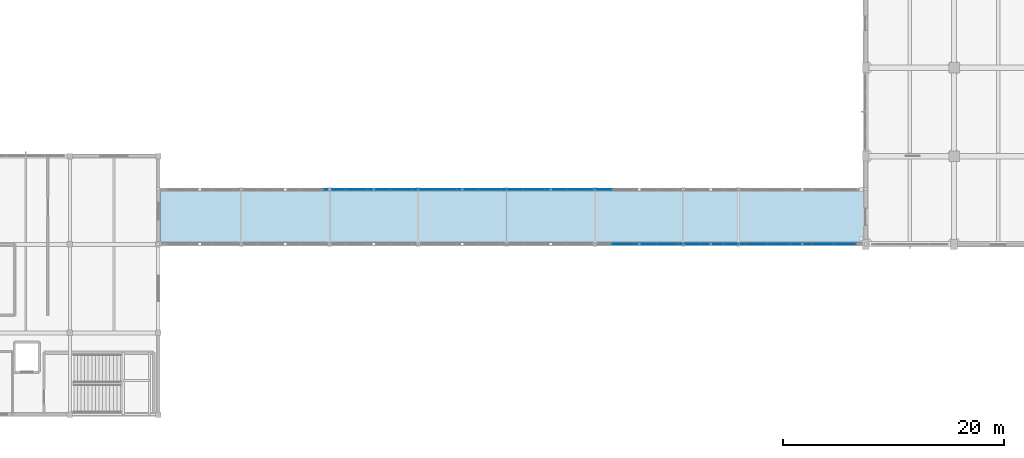
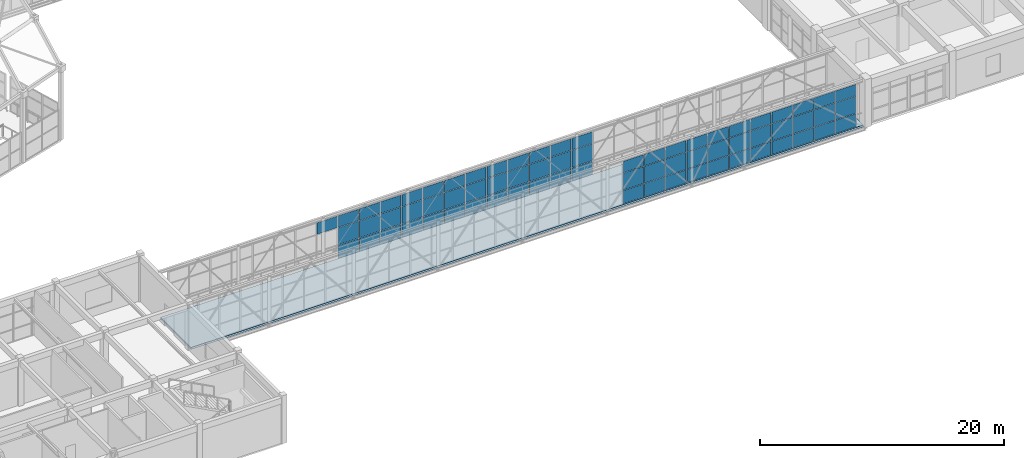
# One storey, part 205 of 248: 70 plates, 1 slab, 2 elements without a shape of their own.
"""IFC4 building model written with IfcOpenShell, lengths in metres."""

from ifc_helpers import new_model, si_unit, direction, frame, origin, origin_2d, place, context, subcontext, project, spatial, polyline, rectangle, outline, extrude, material, layer, layer_set, type_object, element, aggregate, save


model = new_model("IFC4")

# Units and contexts
model_context = context("Model", 3, precision=1e-05, world=origin(), true_north=direction((0.0, 1.0)))
body_context = subcontext(model_context, "Body", "Model", "MODEL_VIEW")
ifc_project = project(units=[si_unit("LENGTHUNIT", "METRE"), si_unit("AREAUNIT", "SQUARE_METRE"), si_unit("VOLUMEUNIT", "CUBIC_METRE"), si_unit("PLANEANGLEUNIT", "RADIAN"), si_unit("MASSUNIT", "GRAM", prefix="KILO")], contexts=[model_context])

# Site, building, storey
site_placement = place(None, origin())
site = spatial("IfcSite", under=ifc_project, at=site_placement, CompositionType="ELEMENT")
building_placement = place(site_placement, origin())
building = spatial("IfcBuilding", under=site, at=building_placement, Name="Canggui Botanical Conservatory", CompositionType="ELEMENT")
storey_placement = place(building_placement, frame((0.0, 0.0, 5.39990234375)))
storey = spatial("IfcBuildingStorey", under=building, at=storey_placement, Name="L02", CompositionType="ELEMENT", Elevation=5.39990234375)

# Curtain wall, plates
ifc_material_1 = material(Name="Thermally Broken Aluminium", Category="aluminium")
ifc_layer_1 = layer(ifc_material_1, 0.1201171875, Name="Thermally Broken Aluminium", Category="aluminium")
ifc_layer_set_1 = layer_set([ifc_layer_1], Name="Thermally Broken Aluminium")
curtain_wall_type = type_object("IfcCurtainWallType", Name="CW-STICK-B", PredefinedType="USERDEFINED", material=ifc_layer_set_1)
curtain_wall_1_placement = place(storey_placement, origin())
curtain_wall_1 = element("IfcCurtainWall", 1, at=curtain_wall_1_placement, inside=storey, type_object=curtain_wall_type, Name="Facade Curtain Wall CW-SB-01-1", ObjectType="STICK GLAZED WALL", PredefinedType="USERDEFINED")
ifc_material_2 = material(Name="Low-E Insulated Glass", Category="glass")
ifc_layer_2 = layer(ifc_material_2, 0.0419921875, Name="Low-E Insulated Glass", Category="glass")
ifc_layer_set_2 = layer_set([ifc_layer_2], Name="Low-E Insulated Glass")
plate_type = type_object("IfcPlateType", Name="CWP-05", PredefinedType="CURTAIN_PANEL", material=ifc_layer_set_2)
plate_1_placement = place(storey_placement, frame((108.04833984375, 26.0400390625, 0.044921875), z_axis=(0.0, 0.0, 1.0), x_axis=(1.0, 0.0, 0.0)))
plate_1 = element("IfcPlate", 2, at=plate_1_placement, type_object=plate_type, Name="CW-05 panel 21.1", PredefinedType="CURTAIN_PANEL", context=body_context, shape_type="SweptSolid", body=[
    extrude(rectangle(XDim=1.95458984375, YDim=0.0419921875, at=origin_2d()), origin(), (0.0, 0.0, 1.0), 1.324462890625),
])
plate_2_placement = place(storey_placement, frame((108.04833984375, 26.0400390625, 1.41455078125), z_axis=(0.0, 0.0, 1.0), x_axis=(1.0, 0.0, 0.0)))
plate_2 = element("IfcPlate", 3, at=plate_2_placement, type_object=plate_type, Name="CW-05 panel 21.2", PredefinedType="CURTAIN_PANEL", context=body_context, shape_type="SweptSolid", body=[
    extrude(rectangle(XDim=1.95458984375, YDim=0.0419921875, at=origin_2d()), origin(), (0.0, 0.0, 1.0), 1.695068359375),
])
plate_3_placement = place(storey_placement, frame((108.04833984375, 26.0400390625, 3.154541015625), z_axis=(0.0, 0.0, 1.0), x_axis=(1.0, 0.0, 0.0)))
plate_3 = element("IfcPlate", 4, at=plate_3_placement, type_object=plate_type, Name="CW-05 panel 21.3", PredefinedType="CURTAIN_PANEL", context=body_context, shape_type="SweptSolid", body=[
    extrude(rectangle(XDim=1.95458984375, YDim=0.0419921875, at=origin_2d()), origin(), (0.0, 0.0, 1.0), 1.150390625),
])
plate_4_placement = place(storey_placement, frame((110.05810546875, 26.0400390625, 0.044921875), z_axis=(0.0, 0.0, 1.0), x_axis=(1.0, 0.0, 0.0)))
plate_4 = element("IfcPlate", 5, at=plate_4_placement, type_object=plate_type, Name="CW-05 panel 22.1", PredefinedType="CURTAIN_PANEL", context=body_context, shape_type="SweptSolid", body=[
    extrude(rectangle(XDim=1.95458984375, YDim=0.0419921875, at=origin_2d()), origin(), (0.0, 0.0, 1.0), 1.324462890625),
])
plate_5_placement = place(storey_placement, frame((110.05810546875, 26.0400390625, 1.41455078125), z_axis=(0.0, 0.0, 1.0), x_axis=(1.0, 0.0, 0.0)))
plate_5 = element("IfcPlate", 6, at=plate_5_placement, type_object=plate_type, Name="CW-05 panel 22.2", PredefinedType="CURTAIN_PANEL", context=body_context, shape_type="SweptSolid", body=[
    extrude(rectangle(XDim=1.95458984375, YDim=0.0419921875, at=origin_2d()), origin(), (0.0, 0.0, 1.0), 1.695068359375),
])
plate_6_placement = place(storey_placement, frame((110.05810546875, 26.0400390625, 3.154541015625), z_axis=(0.0, 0.0, 1.0), x_axis=(1.0, 0.0, 0.0)))
plate_6 = element("IfcPlate", 7, at=plate_6_placement, type_object=plate_type, Name="CW-05 panel 22.3", PredefinedType="CURTAIN_PANEL", context=body_context, shape_type="SweptSolid", body=[
    extrude(rectangle(XDim=1.95458984375, YDim=0.0419921875, at=origin_2d()), origin(), (0.0, 0.0, 1.0), 1.150390625),
])
plate_7_placement = place(storey_placement, frame((112.067626953125, 26.0400390625, 0.044921875), z_axis=(0.0, 0.0, 1.0), x_axis=(1.0, 0.0, 0.0)))
plate_7 = element("IfcPlate", 8, at=plate_7_placement, type_object=plate_type, Name="CW-05 panel 23.1", PredefinedType="CURTAIN_PANEL", context=body_context, shape_type="SweptSolid", body=[
    extrude(rectangle(XDim=1.95458984375, YDim=0.0419921875, at=origin_2d()), origin(), (0.0, 0.0, 1.0), 1.324462890625),
])
plate_8_placement = place(storey_placement, frame((112.067626953125, 26.0400390625, 1.41455078125), z_axis=(0.0, 0.0, 1.0), x_axis=(1.0, 0.0, 0.0)))
plate_8 = element("IfcPlate", 9, at=plate_8_placement, type_object=plate_type, Name="CW-05 panel 23.2", PredefinedType="CURTAIN_PANEL", context=body_context, shape_type="SweptSolid", body=[
    extrude(rectangle(XDim=1.95458984375, YDim=0.0419921875, at=origin_2d()), origin(), (0.0, 0.0, 1.0), 1.695068359375),
])
plate_9_placement = place(storey_placement, frame((112.067626953125, 26.0400390625, 3.154541015625), z_axis=(0.0, 0.0, 1.0), x_axis=(1.0, 0.0, 0.0)))
plate_9 = element("IfcPlate", 10, at=plate_9_placement, type_object=plate_type, Name="CW-05 panel 23.3", PredefinedType="CURTAIN_PANEL", context=body_context, shape_type="SweptSolid", body=[
    extrude(rectangle(XDim=1.95458984375, YDim=0.0419921875, at=origin_2d()), origin(), (0.0, 0.0, 1.0), 1.150390625),
])
plate_10_placement = place(storey_placement, frame((114.077392578125, 26.0400390625, 0.044921875), z_axis=(0.0, 0.0, 1.0), x_axis=(1.0, 0.0, 0.0)))
plate_10 = element("IfcPlate", 11, at=plate_10_placement, type_object=plate_type, Name="CW-05 panel 24.1", PredefinedType="CURTAIN_PANEL", context=body_context, shape_type="SweptSolid", body=[
    extrude(rectangle(XDim=1.95458984375, YDim=0.0419921875, at=origin_2d()), origin(), (0.0, 0.0, 1.0), 1.324462890625),
])
plate_11_placement = place(storey_placement, frame((114.077392578125, 26.0400390625, 1.41455078125), z_axis=(0.0, 0.0, 1.0), x_axis=(1.0, 0.0, 0.0)))
plate_11 = element("IfcPlate", 12, at=plate_11_placement, type_object=plate_type, Name="CW-05 panel 24.2", PredefinedType="CURTAIN_PANEL", context=body_context, shape_type="SweptSolid", body=[
    extrude(rectangle(XDim=1.95458984375, YDim=0.0419921875, at=origin_2d()), origin(), (0.0, 0.0, 1.0), 1.695068359375),
])
plate_12_placement = place(storey_placement, frame((114.077392578125, 26.0400390625, 3.154541015625), z_axis=(0.0, 0.0, 1.0), x_axis=(1.0, 0.0, 0.0)))
plate_12 = element("IfcPlate", 13, at=plate_12_placement, type_object=plate_type, Name="CW-05 panel 24.3", PredefinedType="CURTAIN_PANEL", context=body_context, shape_type="SweptSolid", body=[
    extrude(rectangle(XDim=1.95458984375, YDim=0.0419921875, at=origin_2d()), origin(), (0.0, 0.0, 1.0), 1.150390625),
])
plate_13_placement = place(storey_placement, frame((116.087158203125, 26.0400390625, 0.044921875), z_axis=(0.0, 0.0, 1.0), x_axis=(1.0, 0.0, 0.0)))
plate_13 = element("IfcPlate", 14, at=plate_13_placement, type_object=plate_type, Name="CW-05 panel 25.1", PredefinedType="CURTAIN_PANEL", context=body_context, shape_type="SweptSolid", body=[
    extrude(rectangle(XDim=1.95458984375, YDim=0.0419921875, at=origin_2d()), origin(), (0.0, 0.0, 1.0), 1.324462890625),
])
plate_14_placement = place(storey_placement, frame((116.087158203125, 26.0400390625, 1.41455078125), z_axis=(0.0, 0.0, 1.0), x_axis=(1.0, 0.0, 0.0)))
plate_14 = element("IfcPlate", 15, at=plate_14_placement, type_object=plate_type, Name="CW-05 panel 25.2", PredefinedType="CURTAIN_PANEL", context=body_context, shape_type="SweptSolid", body=[
    extrude(rectangle(XDim=1.95458984375, YDim=0.0419921875, at=origin_2d()), origin(), (0.0, 0.0, 1.0), 1.695068359375),
])
plate_15_placement = place(storey_placement, frame((116.087158203125, 26.0400390625, 3.154541015625), z_axis=(0.0, 0.0, 1.0), x_axis=(1.0, 0.0, 0.0)))
plate_15 = element("IfcPlate", 16, at=plate_15_placement, type_object=plate_type, Name="CW-05 panel 25.3", PredefinedType="CURTAIN_PANEL", context=body_context, shape_type="SweptSolid", body=[
    extrude(rectangle(XDim=1.95458984375, YDim=0.0419921875, at=origin_2d()), origin(), (0.0, 0.0, 1.0), 1.150390625),
])
plate_16_placement = place(storey_placement, frame((118.0966796875, 26.0400390625, 0.044921875), z_axis=(0.0, 0.0, 1.0), x_axis=(1.0, 0.0, 0.0)))
plate_16 = element("IfcPlate", 17, at=plate_16_placement, type_object=plate_type, Name="CW-05 panel 26.1", PredefinedType="CURTAIN_PANEL", context=body_context, shape_type="SweptSolid", body=[
    extrude(rectangle(XDim=1.95458984375, YDim=0.0419921875, at=origin_2d()), origin(), (0.0, 0.0, 1.0), 1.324462890625),
])
plate_17_placement = place(storey_placement, frame((118.0966796875, 26.0400390625, 1.41455078125), z_axis=(0.0, 0.0, 1.0), x_axis=(1.0, 0.0, 0.0)))
plate_17 = element("IfcPlate", 18, at=plate_17_placement, type_object=plate_type, Name="CW-05 panel 26.2", PredefinedType="CURTAIN_PANEL", context=body_context, shape_type="SweptSolid", body=[
    extrude(rectangle(XDim=1.95458984375, YDim=0.0419921875, at=origin_2d()), origin(), (0.0, 0.0, 1.0), 1.695068359375),
])
plate_18_placement = place(storey_placement, frame((118.0966796875, 26.0400390625, 3.154541015625), z_axis=(0.0, 0.0, 1.0), x_axis=(1.0, 0.0, 0.0)))
plate_18 = element("IfcPlate", 19, at=plate_18_placement, type_object=plate_type, Name="CW-05 panel 26.3", PredefinedType="CURTAIN_PANEL", context=body_context, shape_type="SweptSolid", body=[
    extrude(rectangle(XDim=1.95458984375, YDim=0.0419921875, at=origin_2d()), origin(), (0.0, 0.0, 1.0), 1.150390625),
])
plate_19_placement = place(storey_placement, frame((120.1064453125, 26.0400390625, 0.044921875), z_axis=(0.0, 0.0, 1.0), x_axis=(1.0, 0.0, 0.0)))
plate_19 = element("IfcPlate", 20, at=plate_19_placement, type_object=plate_type, Name="CW-05 panel 27.1", PredefinedType="CURTAIN_PANEL", context=body_context, shape_type="SweptSolid", body=[
    extrude(rectangle(XDim=1.95458984375, YDim=0.0419921875, at=origin_2d()), origin(), (0.0, 0.0, 1.0), 1.324462890625),
])
plate_20_placement = place(storey_placement, frame((120.1064453125, 26.0400390625, 1.41455078125), z_axis=(0.0, 0.0, 1.0), x_axis=(1.0, 0.0, 0.0)))
plate_20 = element("IfcPlate", 21, at=plate_20_placement, type_object=plate_type, Name="CW-05 panel 27.2", PredefinedType="CURTAIN_PANEL", context=body_context, shape_type="SweptSolid", body=[
    extrude(rectangle(XDim=1.95458984375, YDim=0.0419921875, at=origin_2d()), origin(), (0.0, 0.0, 1.0), 1.695068359375),
])
plate_21_placement = place(storey_placement, frame((120.1064453125, 26.0400390625, 3.154541015625), z_axis=(0.0, 0.0, 1.0), x_axis=(1.0, 0.0, 0.0)))
plate_21 = element("IfcPlate", 22, at=plate_21_placement, type_object=plate_type, Name="CW-05 panel 27.3", PredefinedType="CURTAIN_PANEL", context=body_context, shape_type="SweptSolid", body=[
    extrude(rectangle(XDim=1.95458984375, YDim=0.0419921875, at=origin_2d()), origin(), (0.0, 0.0, 1.0), 1.150390625),
])
plate_22_placement = place(storey_placement, frame((122.1162109375, 26.0400390625, 0.044921875), z_axis=(0.0, 0.0, 1.0), x_axis=(1.0, 0.0, 0.0)))
plate_22 = element("IfcPlate", 23, at=plate_22_placement, type_object=plate_type, Name="CW-05 panel 28.1", PredefinedType="CURTAIN_PANEL", context=body_context, shape_type="SweptSolid", body=[
    extrude(rectangle(XDim=1.95458984375, YDim=0.0419921875, at=origin_2d()), origin(), (0.0, 0.0, 1.0), 1.324462890625),
])
plate_23_placement = place(storey_placement, frame((122.1162109375, 26.0400390625, 1.41455078125), z_axis=(0.0, 0.0, 1.0), x_axis=(1.0, 0.0, 0.0)))
plate_23 = element("IfcPlate", 24, at=plate_23_placement, type_object=plate_type, Name="CW-05 panel 28.2", PredefinedType="CURTAIN_PANEL", context=body_context, shape_type="SweptSolid", body=[
    extrude(rectangle(XDim=1.95458984375, YDim=0.0419921875, at=origin_2d()), origin(), (0.0, 0.0, 1.0), 1.695068359375),
])
plate_24_placement = place(storey_placement, frame((122.1162109375, 26.0400390625, 3.154541015625), z_axis=(0.0, 0.0, 1.0), x_axis=(1.0, 0.0, 0.0)))
plate_24 = element("IfcPlate", 25, at=plate_24_placement, type_object=plate_type, Name="CW-05 panel 28.3", PredefinedType="CURTAIN_PANEL", context=body_context, shape_type="SweptSolid", body=[
    extrude(rectangle(XDim=1.95458984375, YDim=0.0419921875, at=origin_2d()), origin(), (0.0, 0.0, 1.0), 1.150390625),
])
plate_25_placement = place(storey_placement, frame((124.125732421875, 26.0400390625, 0.044921875), z_axis=(0.0, 0.0, 1.0), x_axis=(1.0, 0.0, 0.0)))
plate_25 = element("IfcPlate", 26, at=plate_25_placement, type_object=plate_type, Name="CW-05 panel 29.1", PredefinedType="CURTAIN_PANEL", context=body_context, shape_type="SweptSolid", body=[
    extrude(rectangle(XDim=1.95458984375, YDim=0.0419921875, at=origin_2d()), origin(), (0.0, 0.0, 1.0), 1.324462890625),
])
plate_26_placement = place(storey_placement, frame((124.125732421875, 26.0400390625, 1.41455078125), z_axis=(0.0, 0.0, 1.0), x_axis=(1.0, 0.0, 0.0)))
plate_26 = element("IfcPlate", 27, at=plate_26_placement, type_object=plate_type, Name="CW-05 panel 29.2", PredefinedType="CURTAIN_PANEL", context=body_context, shape_type="SweptSolid", body=[
    extrude(rectangle(XDim=1.95458984375, YDim=0.0419921875, at=origin_2d()), origin(), (0.0, 0.0, 1.0), 1.695068359375),
])
plate_27_placement = place(storey_placement, frame((124.125732421875, 26.0400390625, 3.154541015625), z_axis=(0.0, 0.0, 1.0), x_axis=(1.0, 0.0, 0.0)))
plate_27 = element("IfcPlate", 28, at=plate_27_placement, type_object=plate_type, Name="CW-05 panel 29.3", PredefinedType="CURTAIN_PANEL", context=body_context, shape_type="SweptSolid", body=[
    extrude(rectangle(XDim=1.95458984375, YDim=0.0419921875, at=origin_2d()), origin(), (0.0, 0.0, 1.0), 1.150390625),
])
plate_28_placement = place(storey_placement, frame((126.135498046875, 26.0400390625, 0.044921875), z_axis=(0.0, 0.0, 1.0), x_axis=(1.0, 0.0, 0.0)))
plate_28 = element("IfcPlate", 29, at=plate_28_placement, type_object=plate_type, Name="CW-05 panel 30.1", PredefinedType="CURTAIN_PANEL", context=body_context, shape_type="SweptSolid", body=[
    extrude(rectangle(XDim=1.95458984375, YDim=0.0419921875, at=origin_2d()), origin(), (0.0, 0.0, 1.0), 1.324462890625),
])
plate_29_placement = place(storey_placement, frame((126.135498046875, 26.0400390625, 1.41455078125), z_axis=(0.0, 0.0, 1.0), x_axis=(1.0, 0.0, 0.0)))
plate_29 = element("IfcPlate", 30, at=plate_29_placement, type_object=plate_type, Name="CW-05 panel 30.2", PredefinedType="CURTAIN_PANEL", context=body_context, shape_type="SweptSolid", body=[
    extrude(rectangle(XDim=1.95458984375, YDim=0.0419921875, at=origin_2d()), origin(), (0.0, 0.0, 1.0), 1.695068359375),
])
plate_30_placement = place(storey_placement, frame((126.135498046875, 26.0400390625, 3.154541015625), z_axis=(0.0, 0.0, 1.0), x_axis=(1.0, 0.0, 0.0)))
plate_30 = element("IfcPlate", 31, at=plate_30_placement, type_object=plate_type, Name="CW-05 panel 30.3", PredefinedType="CURTAIN_PANEL", context=body_context, shape_type="SweptSolid", body=[
    extrude(rectangle(XDim=1.95458984375, YDim=0.0419921875, at=origin_2d()), origin(), (0.0, 0.0, 1.0), 1.150390625),
])
plate_31_placement = place(storey_placement, frame((128.13134765625, 26.0400390625, 0.044921875), z_axis=(0.0, 0.0, 1.0), x_axis=(1.0, 0.0, 0.0)))
plate_31 = element("IfcPlate", 32, at=plate_31_placement, type_object=plate_type, Name="CW-05 panel 31.1", PredefinedType="CURTAIN_PANEL", context=body_context, shape_type="SweptSolid", body=[
    extrude(rectangle(XDim=1.92724609375, YDim=0.0419921875, at=origin_2d()), origin(), (0.0, 0.0, 1.0), 1.324462890625),
])
plate_32_placement = place(storey_placement, frame((128.13134765625, 26.0400390625, 1.41455078125), z_axis=(0.0, 0.0, 1.0), x_axis=(1.0, 0.0, 0.0)))
plate_32 = element("IfcPlate", 33, at=plate_32_placement, type_object=plate_type, Name="CW-05 panel 31.2", PredefinedType="CURTAIN_PANEL", context=body_context, shape_type="SweptSolid", body=[
    extrude(rectangle(XDim=1.92724609375, YDim=0.0419921875, at=origin_2d()), origin(), (0.0, 0.0, 1.0), 1.695068359375),
])
plate_33_placement = place(storey_placement, frame((128.13134765625, 26.0400390625, 3.154541015625), z_axis=(0.0, 0.0, 1.0), x_axis=(1.0, 0.0, 0.0)))
plate_33 = element("IfcPlate", 34, at=plate_33_placement, type_object=plate_type, Name="CW-05 panel 31.3", PredefinedType="CURTAIN_PANEL", context=body_context, shape_type="SweptSolid", body=[
    extrude(rectangle(XDim=1.92724609375, YDim=0.0419921875, at=origin_2d()), origin(), (0.0, 0.0, 1.0), 1.150390625),
])
aggregate(curtain_wall_1, [plate_1, plate_2, plate_3, plate_4, plate_5, plate_6, plate_7, plate_8, plate_9, plate_10, plate_11, plate_12, plate_13, plate_14, plate_15, plate_16, plate_17, plate_18, plate_19, plate_20, plate_21, plate_22, plate_23, plate_24, plate_25, plate_26, plate_27, plate_28, plate_29, plate_30, plate_31, plate_32, plate_33])

curtain_wall_2_placement = place(storey_placement, origin())
curtain_wall_2 = element("IfcCurtainWall", 35, at=curtain_wall_2_placement, inside=storey, type_object=curtain_wall_type, Name="Facade Curtain Wall CW-SB-01-2", ObjectType="STICK GLAZED WALL", PredefinedType="USERDEFINED")
plate_34_placement = place(storey_placement, frame((81.922607421875, 30.9599609375, 3.154541015625), z_axis=(0.0, 0.0, 1.0), x_axis=(1.0, 0.0, 0.0)))
plate_34 = element("IfcPlate", 36, at=plate_34_placement, type_object=plate_type, Name="CW-05 panel 8.3", PredefinedType="CURTAIN_PANEL", context=body_context, shape_type="SweptSolid", body=[
    extrude(rectangle(XDim=1.95458984375, YDim=0.0419921875, at=origin_2d()), origin(), (0.0, 0.0, 1.0), 1.150390625),
])
plate_35_placement = place(storey_placement, frame((83.932373046875, 30.9599609375, 0.044921875), z_axis=(0.0, 0.0, 1.0), x_axis=(1.0, 0.0, 0.0)))
plate_35 = element("IfcPlate", 37, at=plate_35_placement, type_object=plate_type, Name="CW-05 panel 9.1", PredefinedType="CURTAIN_PANEL", context=body_context, shape_type="SweptSolid", body=[
    extrude(rectangle(XDim=1.95458984375, YDim=0.0419921875, at=origin_2d()), origin(), (0.0, 0.0, 1.0), 1.324462890625),
])
plate_36_placement = place(storey_placement, frame((83.932373046875, 30.9599609375, 1.41455078125), z_axis=(0.0, 0.0, 1.0), x_axis=(1.0, 0.0, 0.0)))
plate_36 = element("IfcPlate", 38, at=plate_36_placement, type_object=plate_type, Name="CW-05 panel 9.2", PredefinedType="CURTAIN_PANEL", context=body_context, shape_type="SweptSolid", body=[
    extrude(rectangle(XDim=1.95458984375, YDim=0.0419921875, at=origin_2d()), origin(), (0.0, 0.0, 1.0), 1.695068359375),
])
plate_37_placement = place(storey_placement, frame((83.932373046875, 30.9599609375, 3.154541015625), z_axis=(0.0, 0.0, 1.0), x_axis=(1.0, 0.0, 0.0)))
plate_37 = element("IfcPlate", 39, at=plate_37_placement, type_object=plate_type, Name="CW-05 panel 9.3", PredefinedType="CURTAIN_PANEL", context=body_context, shape_type="SweptSolid", body=[
    extrude(rectangle(XDim=1.95458984375, YDim=0.0419921875, at=origin_2d()), origin(), (0.0, 0.0, 1.0), 1.150390625),
])
plate_38_placement = place(storey_placement, frame((85.94189453125, 30.9599609375, 0.044921875), z_axis=(0.0, 0.0, 1.0), x_axis=(1.0, 0.0, 0.0)))
plate_38 = element("IfcPlate", 40, at=plate_38_placement, type_object=plate_type, Name="CW-05 panel 10.1", PredefinedType="CURTAIN_PANEL", context=body_context, shape_type="SweptSolid", body=[
    extrude(rectangle(XDim=1.95458984375, YDim=0.0419921875, at=origin_2d()), origin(), (0.0, 0.0, 1.0), 1.324462890625),
])
plate_39_placement = place(storey_placement, frame((85.94189453125, 30.9599609375, 1.41455078125), z_axis=(0.0, 0.0, 1.0), x_axis=(1.0, 0.0, 0.0)))
plate_39 = element("IfcPlate", 41, at=plate_39_placement, type_object=plate_type, Name="CW-05 panel 10.2", PredefinedType="CURTAIN_PANEL", context=body_context, shape_type="SweptSolid", body=[
    extrude(rectangle(XDim=1.95458984375, YDim=0.0419921875, at=origin_2d()), origin(), (0.0, 0.0, 1.0), 1.695068359375),
])
plate_40_placement = place(storey_placement, frame((85.94189453125, 30.9599609375, 3.154541015625), z_axis=(0.0, 0.0, 1.0), x_axis=(1.0, 0.0, 0.0)))
plate_40 = element("IfcPlate", 42, at=plate_40_placement, type_object=plate_type, Name="CW-05 panel 10.3", PredefinedType="CURTAIN_PANEL", context=body_context, shape_type="SweptSolid", body=[
    extrude(rectangle(XDim=1.95458984375, YDim=0.0419921875, at=origin_2d()), origin(), (0.0, 0.0, 1.0), 1.150390625),
])
plate_41_placement = place(storey_placement, frame((87.95166015625, 30.9599609375, 0.044921875), z_axis=(0.0, 0.0, 1.0), x_axis=(1.0, 0.0, 0.0)))
plate_41 = element("IfcPlate", 43, at=plate_41_placement, type_object=plate_type, Name="CW-05 panel 11.1", PredefinedType="CURTAIN_PANEL", context=body_context, shape_type="SweptSolid", body=[
    extrude(rectangle(XDim=1.95458984375, YDim=0.0419921875, at=origin_2d()), origin(), (0.0, 0.0, 1.0), 1.324462890625),
])
plate_42_placement = place(storey_placement, frame((87.95166015625, 30.9599609375, 1.41455078125), z_axis=(0.0, 0.0, 1.0), x_axis=(1.0, 0.0, 0.0)))
plate_42 = element("IfcPlate", 44, at=plate_42_placement, type_object=plate_type, Name="CW-05 panel 11.2", PredefinedType="CURTAIN_PANEL", context=body_context, shape_type="SweptSolid", body=[
    extrude(rectangle(XDim=1.95458984375, YDim=0.0419921875, at=origin_2d()), origin(), (0.0, 0.0, 1.0), 1.695068359375),
])
plate_43_placement = place(storey_placement, frame((87.95166015625, 30.9599609375, 3.154541015625), z_axis=(0.0, 0.0, 1.0), x_axis=(1.0, 0.0, 0.0)))
plate_43 = element("IfcPlate", 45, at=plate_43_placement, type_object=plate_type, Name="CW-05 panel 11.3", PredefinedType="CURTAIN_PANEL", context=body_context, shape_type="SweptSolid", body=[
    extrude(rectangle(XDim=1.95458984375, YDim=0.0419921875, at=origin_2d()), origin(), (0.0, 0.0, 1.0), 1.150390625),
])
plate_44_placement = place(storey_placement, frame((89.961181640625, 30.9599609375, 0.044921875), z_axis=(0.0, 0.0, 1.0), x_axis=(1.0, 0.0, 0.0)))
plate_44 = element("IfcPlate", 46, at=plate_44_placement, type_object=plate_type, Name="CW-05 panel 12.1", PredefinedType="CURTAIN_PANEL", context=body_context, shape_type="SweptSolid", body=[
    extrude(rectangle(XDim=1.95458984375, YDim=0.0419921875, at=origin_2d()), origin(), (0.0, 0.0, 1.0), 1.324462890625),
])
plate_45_placement = place(storey_placement, frame((89.961181640625, 30.9599609375, 1.41455078125), z_axis=(0.0, 0.0, 1.0), x_axis=(1.0, 0.0, 0.0)))
plate_45 = element("IfcPlate", 47, at=plate_45_placement, type_object=plate_type, Name="CW-05 panel 12.2", PredefinedType="CURTAIN_PANEL", context=body_context, shape_type="SweptSolid", body=[
    extrude(rectangle(XDim=1.95458984375, YDim=0.0419921875, at=origin_2d()), origin(), (0.0, 0.0, 1.0), 1.695068359375),
])
plate_46_placement = place(storey_placement, frame((89.961181640625, 30.9599609375, 3.154541015625), z_axis=(0.0, 0.0, 1.0), x_axis=(1.0, 0.0, 0.0)))
plate_46 = element("IfcPlate", 48, at=plate_46_placement, type_object=plate_type, Name="CW-05 panel 12.3", PredefinedType="CURTAIN_PANEL", context=body_context, shape_type="SweptSolid", body=[
    extrude(rectangle(XDim=1.95458984375, YDim=0.0419921875, at=origin_2d()), origin(), (0.0, 0.0, 1.0), 1.150390625),
])
plate_47_placement = place(storey_placement, frame((91.970947265625, 30.9599609375, 0.044921875), z_axis=(0.0, 0.0, 1.0), x_axis=(1.0, 0.0, 0.0)))
plate_47 = element("IfcPlate", 49, at=plate_47_placement, type_object=plate_type, Name="CW-05 panel 13.1", PredefinedType="CURTAIN_PANEL", context=body_context, shape_type="SweptSolid", body=[
    extrude(rectangle(XDim=1.95458984375, YDim=0.0419921875, at=origin_2d()), origin(), (0.0, 0.0, 1.0), 1.324462890625),
])
plate_48_placement = place(storey_placement, frame((91.970947265625, 30.9599609375, 1.41455078125), z_axis=(0.0, 0.0, 1.0), x_axis=(1.0, 0.0, 0.0)))
plate_48 = element("IfcPlate", 50, at=plate_48_placement, type_object=plate_type, Name="CW-05 panel 13.2", PredefinedType="CURTAIN_PANEL", context=body_context, shape_type="SweptSolid", body=[
    extrude(rectangle(XDim=1.95458984375, YDim=0.0419921875, at=origin_2d()), origin(), (0.0, 0.0, 1.0), 1.695068359375),
])
plate_49_placement = place(storey_placement, frame((91.970947265625, 30.9599609375, 3.154541015625), z_axis=(0.0, 0.0, 1.0), x_axis=(1.0, 0.0, 0.0)))
plate_49 = element("IfcPlate", 51, at=plate_49_placement, type_object=plate_type, Name="CW-05 panel 13.3", PredefinedType="CURTAIN_PANEL", context=body_context, shape_type="SweptSolid", body=[
    extrude(rectangle(XDim=1.95458984375, YDim=0.0419921875, at=origin_2d()), origin(), (0.0, 0.0, 1.0), 1.150390625),
])
plate_50_placement = place(storey_placement, frame((93.980712890625, 30.9599609375, 0.044921875), z_axis=(0.0, 0.0, 1.0), x_axis=(1.0, 0.0, 0.0)))
plate_50 = element("IfcPlate", 52, at=plate_50_placement, type_object=plate_type, Name="CW-05 panel 14.1", PredefinedType="CURTAIN_PANEL", context=body_context, shape_type="SweptSolid", body=[
    extrude(rectangle(XDim=1.95458984375, YDim=0.0419921875, at=origin_2d()), origin(), (0.0, 0.0, 1.0), 1.324462890625),
])
plate_51_placement = place(storey_placement, frame((93.980712890625, 30.9599609375, 1.41455078125), z_axis=(0.0, 0.0, 1.0), x_axis=(1.0, 0.0, 0.0)))
plate_51 = element("IfcPlate", 53, at=plate_51_placement, type_object=plate_type, Name="CW-05 panel 14.2", PredefinedType="CURTAIN_PANEL", context=body_context, shape_type="SweptSolid", body=[
    extrude(rectangle(XDim=1.95458984375, YDim=0.0419921875, at=origin_2d()), origin(), (0.0, 0.0, 1.0), 1.695068359375),
])
plate_52_placement = place(storey_placement, frame((93.980712890625, 30.9599609375, 3.154541015625), z_axis=(0.0, 0.0, 1.0), x_axis=(1.0, 0.0, 0.0)))
plate_52 = element("IfcPlate", 54, at=plate_52_placement, type_object=plate_type, Name="CW-05 panel 14.3", PredefinedType="CURTAIN_PANEL", context=body_context, shape_type="SweptSolid", body=[
    extrude(rectangle(XDim=1.95458984375, YDim=0.0419921875, at=origin_2d()), origin(), (0.0, 0.0, 1.0), 1.150390625),
])
plate_53_placement = place(storey_placement, frame((95.990234375, 30.9599609375, 0.044921875), z_axis=(0.0, 0.0, 1.0), x_axis=(1.0, 0.0, 0.0)))
plate_53 = element("IfcPlate", 55, at=plate_53_placement, type_object=plate_type, Name="CW-05 panel 15.1", PredefinedType="CURTAIN_PANEL", context=body_context, shape_type="SweptSolid", body=[
    extrude(rectangle(XDim=1.95458984375, YDim=0.0419921875, at=origin_2d()), origin(), (0.0, 0.0, 1.0), 1.324462890625),
])
plate_54_placement = place(storey_placement, frame((95.990234375, 30.9599609375, 1.41455078125), z_axis=(0.0, 0.0, 1.0), x_axis=(1.0, 0.0, 0.0)))
plate_54 = element("IfcPlate", 56, at=plate_54_placement, type_object=plate_type, Name="CW-05 panel 15.2", PredefinedType="CURTAIN_PANEL", context=body_context, shape_type="SweptSolid", body=[
    extrude(rectangle(XDim=1.95458984375, YDim=0.0419921875, at=origin_2d()), origin(), (0.0, 0.0, 1.0), 1.695068359375),
])
plate_55_placement = place(storey_placement, frame((95.990234375, 30.9599609375, 3.154541015625), z_axis=(0.0, 0.0, 1.0), x_axis=(1.0, 0.0, 0.0)))
plate_55 = element("IfcPlate", 57, at=plate_55_placement, type_object=plate_type, Name="CW-05 panel 15.3", PredefinedType="CURTAIN_PANEL", context=body_context, shape_type="SweptSolid", body=[
    extrude(rectangle(XDim=1.95458984375, YDim=0.0419921875, at=origin_2d()), origin(), (0.0, 0.0, 1.0), 1.150390625),
])
plate_56_placement = place(storey_placement, frame((98.0, 30.9599609375, 0.044921875), z_axis=(0.0, 0.0, 1.0), x_axis=(1.0, 0.0, 0.0)))
plate_56 = element("IfcPlate", 58, at=plate_56_placement, type_object=plate_type, Name="CW-05 panel 16.1", PredefinedType="CURTAIN_PANEL", context=body_context, shape_type="SweptSolid", body=[
    extrude(rectangle(XDim=1.95458984375, YDim=0.0419921875, at=origin_2d()), origin(), (0.0, 0.0, 1.0), 1.324462890625),
])
plate_57_placement = place(storey_placement, frame((98.0, 30.9599609375, 1.41455078125), z_axis=(0.0, 0.0, 1.0), x_axis=(1.0, 0.0, 0.0)))
plate_57 = element("IfcPlate", 59, at=plate_57_placement, type_object=plate_type, Name="CW-05 panel 16.2", PredefinedType="CURTAIN_PANEL", context=body_context, shape_type="SweptSolid", body=[
    extrude(rectangle(XDim=1.95458984375, YDim=0.0419921875, at=origin_2d()), origin(), (0.0, 0.0, 1.0), 1.695068359375),
])
plate_58_placement = place(storey_placement, frame((98.0, 30.9599609375, 3.154541015625), z_axis=(0.0, 0.0, 1.0), x_axis=(1.0, 0.0, 0.0)))
plate_58 = element("IfcPlate", 60, at=plate_58_placement, type_object=plate_type, Name="CW-05 panel 16.3", PredefinedType="CURTAIN_PANEL", context=body_context, shape_type="SweptSolid", body=[
    extrude(rectangle(XDim=1.95458984375, YDim=0.0419921875, at=origin_2d()), origin(), (0.0, 0.0, 1.0), 1.150390625),
])
plate_59_placement = place(storey_placement, frame((100.009765625, 30.9599609375, 0.044921875), z_axis=(0.0, 0.0, 1.0), x_axis=(1.0, 0.0, 0.0)))
plate_59 = element("IfcPlate", 61, at=plate_59_placement, type_object=plate_type, Name="CW-05 panel 17.1", PredefinedType="CURTAIN_PANEL", context=body_context, shape_type="SweptSolid", body=[
    extrude(rectangle(XDim=1.95458984375, YDim=0.0419921875, at=origin_2d()), origin(), (0.0, 0.0, 1.0), 1.324462890625),
])
plate_60_placement = place(storey_placement, frame((100.009765625, 30.9599609375, 1.41455078125), z_axis=(0.0, 0.0, 1.0), x_axis=(1.0, 0.0, 0.0)))
plate_60 = element("IfcPlate", 62, at=plate_60_placement, type_object=plate_type, Name="CW-05 panel 17.2", PredefinedType="CURTAIN_PANEL", context=body_context, shape_type="SweptSolid", body=[
    extrude(rectangle(XDim=1.95458984375, YDim=0.0419921875, at=origin_2d()), origin(), (0.0, 0.0, 1.0), 1.695068359375),
])
plate_61_placement = place(storey_placement, frame((100.009765625, 30.9599609375, 3.154541015625), z_axis=(0.0, 0.0, 1.0), x_axis=(1.0, 0.0, 0.0)))
plate_61 = element("IfcPlate", 63, at=plate_61_placement, type_object=plate_type, Name="CW-05 panel 17.3", PredefinedType="CURTAIN_PANEL", context=body_context, shape_type="SweptSolid", body=[
    extrude(rectangle(XDim=1.95458984375, YDim=0.0419921875, at=origin_2d()), origin(), (0.0, 0.0, 1.0), 1.150390625),
])
plate_62_placement = place(storey_placement, frame((102.019287109375, 30.9599609375, 0.044921875), z_axis=(0.0, 0.0, 1.0), x_axis=(1.0, 0.0, 0.0)))
plate_62 = element("IfcPlate", 64, at=plate_62_placement, type_object=plate_type, Name="CW-05 panel 18.1", PredefinedType="CURTAIN_PANEL", context=body_context, shape_type="SweptSolid", body=[
    extrude(rectangle(XDim=1.95458984375, YDim=0.0419921875, at=origin_2d()), origin(), (0.0, 0.0, 1.0), 1.324462890625),
])
plate_63_placement = place(storey_placement, frame((102.019287109375, 30.9599609375, 1.41455078125), z_axis=(0.0, 0.0, 1.0), x_axis=(1.0, 0.0, 0.0)))
plate_63 = element("IfcPlate", 65, at=plate_63_placement, type_object=plate_type, Name="CW-05 panel 18.2", PredefinedType="CURTAIN_PANEL", context=body_context, shape_type="SweptSolid", body=[
    extrude(rectangle(XDim=1.95458984375, YDim=0.0419921875, at=origin_2d()), origin(), (0.0, 0.0, 1.0), 1.695068359375),
])
plate_64_placement = place(storey_placement, frame((102.019287109375, 30.9599609375, 3.154541015625), z_axis=(0.0, 0.0, 1.0), x_axis=(1.0, 0.0, 0.0)))
plate_64 = element("IfcPlate", 66, at=plate_64_placement, type_object=plate_type, Name="CW-05 panel 18.3", PredefinedType="CURTAIN_PANEL", context=body_context, shape_type="SweptSolid", body=[
    extrude(rectangle(XDim=1.95458984375, YDim=0.0419921875, at=origin_2d()), origin(), (0.0, 0.0, 1.0), 1.150390625),
])
plate_65_placement = place(storey_placement, frame((104.029052734375, 30.9599609375, 0.044921875), z_axis=(0.0, 0.0, 1.0), x_axis=(1.0, 0.0, 0.0)))
plate_65 = element("IfcPlate", 67, at=plate_65_placement, type_object=plate_type, Name="CW-05 panel 19.1", PredefinedType="CURTAIN_PANEL", context=body_context, shape_type="SweptSolid", body=[
    extrude(rectangle(XDim=1.95458984375, YDim=0.0419921875, at=origin_2d()), origin(), (0.0, 0.0, 1.0), 1.324462890625),
])
plate_66_placement = place(storey_placement, frame((104.029052734375, 30.9599609375, 1.41455078125), z_axis=(0.0, 0.0, 1.0), x_axis=(1.0, 0.0, 0.0)))
plate_66 = element("IfcPlate", 68, at=plate_66_placement, type_object=plate_type, Name="CW-05 panel 19.2", PredefinedType="CURTAIN_PANEL", context=body_context, shape_type="SweptSolid", body=[
    extrude(rectangle(XDim=1.95458984375, YDim=0.0419921875, at=origin_2d()), origin(), (0.0, 0.0, 1.0), 1.695068359375),
])
plate_67_placement = place(storey_placement, frame((104.029052734375, 30.9599609375, 3.154541015625), z_axis=(0.0, 0.0, 1.0), x_axis=(1.0, 0.0, 0.0)))
plate_67 = element("IfcPlate", 69, at=plate_67_placement, type_object=plate_type, Name="CW-05 panel 19.3", PredefinedType="CURTAIN_PANEL", context=body_context, shape_type="SweptSolid", body=[
    extrude(rectangle(XDim=1.95458984375, YDim=0.0419921875, at=origin_2d()), origin(), (0.0, 0.0, 1.0), 1.150390625),
])
plate_68_placement = place(storey_placement, frame((106.038818359375, 30.9599609375, 0.044921875), z_axis=(0.0, 0.0, 1.0), x_axis=(1.0, 0.0, 0.0)))
plate_68 = element("IfcPlate", 70, at=plate_68_placement, type_object=plate_type, Name="CW-05 panel 20.1", PredefinedType="CURTAIN_PANEL", context=body_context, shape_type="SweptSolid", body=[
    extrude(rectangle(XDim=1.95458984375, YDim=0.0419921875, at=origin_2d()), origin(), (0.0, 0.0, 1.0), 1.324462890625),
])
plate_69_placement = place(storey_placement, frame((106.038818359375, 30.9599609375, 1.41455078125), z_axis=(0.0, 0.0, 1.0), x_axis=(1.0, 0.0, 0.0)))
plate_69 = element("IfcPlate", 71, at=plate_69_placement, type_object=plate_type, Name="CW-05 panel 20.2", PredefinedType="CURTAIN_PANEL", context=body_context, shape_type="SweptSolid", body=[
    extrude(rectangle(XDim=1.95458984375, YDim=0.0419921875, at=origin_2d()), origin(), (0.0, 0.0, 1.0), 1.695068359375),
])
plate_70_placement = place(storey_placement, frame((106.038818359375, 30.9599609375, 3.154541015625), z_axis=(0.0, 0.0, 1.0), x_axis=(1.0, 0.0, 0.0)))
plate_70 = element("IfcPlate", 72, at=plate_70_placement, type_object=plate_type, Name="CW-05 panel 20.3", PredefinedType="CURTAIN_PANEL", context=body_context, shape_type="SweptSolid", body=[
    extrude(rectangle(XDim=1.95458984375, YDim=0.0419921875, at=origin_2d()), origin(), (0.0, 0.0, 1.0), 1.150390625),
])
aggregate(curtain_wall_2, [plate_34, plate_35, plate_36, plate_37, plate_38, plate_39, plate_40, plate_41, plate_42, plate_43, plate_44, plate_45, plate_46, plate_47, plate_48, plate_49, plate_50, plate_51, plate_52, plate_53, plate_54, plate_55, plate_56, plate_57, plate_58, plate_59, plate_60, plate_61, plate_62, plate_63, plate_64, plate_65, plate_66, plate_67, plate_68, plate_69, plate_70])

# Slab
ifc_material_3 = material(Name="Concrete C35", Category="concrete")
ifc_layer_3 = layer(ifc_material_3, 0.199951171875, Name="Concrete C35", Category="concrete")
ifc_layer_set_3 = layer_set([ifc_layer_3], Name="Concrete C35")
slab_type = type_object("IfcSlabType", Name="SLAB-F200", PredefinedType="FLOOR", material=ifc_layer_set_3)
slab_placement = place(storey_placement, frame((0.0, 0.0, -0.199951171875)))
element("IfcSlab", 73, at=slab_placement, inside=storey, type_object=slab_type, Name="South Court Covered Skybridge SB-01 Deck Slab", PredefinedType="FLOOR", context=body_context, shape_type="SweptSolid", body=[
    extrude(outline(polyline([(66.199951171875, 26.0), (129.800048828125, 26.0), (129.800048828125, 31.0), (66.199951171875, 31.0), (66.199951171875, 26.0)])), origin(), (0.0, 0.0, 1.0), 0.199951171875),
])

save(model, "model.ifc")
